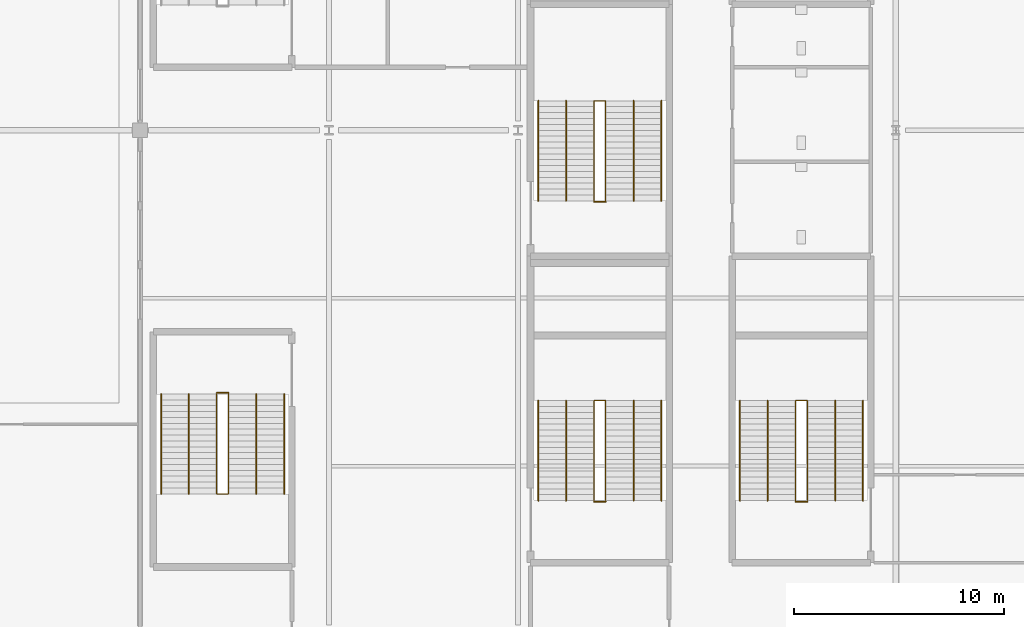
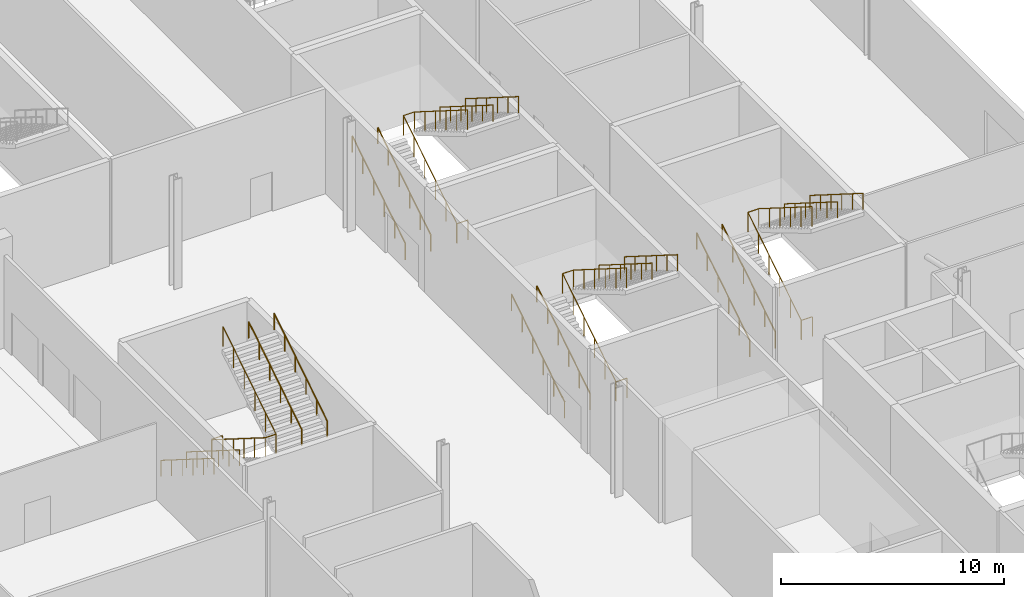
# One storey, part 78 of 84: 24 railings.
"""IFC4 building model written with IfcOpenShell, lengths in metres."""

from ifc_helpers import new_model, si_unit, direction, frame, origin, origin_2d, place, context, subcontext, project, spatial, circle, extrude, material, type_object, element, save


model = new_model("IFC4")

# Units and contexts
model_context = context("Model", 3, precision=1e-05, world=origin(), true_north=direction((0.0, 1.0)))
body_context = subcontext(model_context, "Body", "Model", "MODEL_VIEW")
ifc_project = project(units=[si_unit("LENGTHUNIT", "METRE"), si_unit("AREAUNIT", "SQUARE_METRE"), si_unit("VOLUMEUNIT", "CUBIC_METRE"), si_unit("PLANEANGLEUNIT", "RADIAN"), si_unit("MASSUNIT", "GRAM", prefix="KILO")], contexts=[model_context])

# Site, building, storey
site_placement = place(None, origin())
site = spatial("IfcSite", under=ifc_project, at=site_placement, CompositionType="ELEMENT")
building_placement = place(site_placement, origin())
building = spatial("IfcBuilding", under=site, at=building_placement, Name="Kisiwana Market Hall", CompositionType="ELEMENT")
storey_placement = place(building_placement, origin())
storey = spatial("IfcBuildingStorey", under=building, at=storey_placement, Name="L00", CompositionType="ELEMENT", Elevation=0.0)

# Railings
ifc_material_1 = material(Name="Steel S275", Category="steel")
railing_type_1 = type_object("IfcRailingType", Name="RL-GUARD-1100", PredefinedType="GUARDRAIL", material=ifc_material_1)
railing_1_placement = place(storey_placement, frame((184.219970703125, 42.360107421875, 0.0)))
element("IfcRailing", 1, at=railing_1_placement, inside=storey, type_object=railing_type_1, Name="Stair ST-E3-L00 inner-well guardrail (RL-191)", PredefinedType="GUARDRAIL", context=body_context, shape_type="SweptSolid", body=[
    extrude(circle(Radius=0.02392578125, at=origin_2d()), frame((0.0, 0.0, 1.076171875), z_axis=(0.0, 0.845995810448, 0.533189542944), x_axis=(-1.0, 0.0, 0.0)), (0.0, 0.0, 1.0), 5.62646484375),
    extrude(circle(Radius=0.02392578125, at=origin_2d()), frame((0.0, 4.760009765625, 4.076171875), z_axis=(1.0, 0.0, 0.0), x_axis=(0.0, 1.0, 0.0)), (0.0, 0.0, 1.0), 0.56005859375),
    extrude(circle(Radius=0.02392578125, at=origin_2d()), frame((0.56005859375, 4.760009765625, 4.076171875), z_axis=(0.0, -0.845995810448, 0.533189542944), x_axis=(1.0, 0.0, 0.0)), (0.0, 0.0, 1.0), 5.62646484375),
    extrude(circle(Radius=0.02099609375, at=origin_2d()), origin(), (0.0, 0.0, 1.0), 1.052001953125),
    extrude(circle(Radius=0.02099609375, at=origin_2d()), frame((0.0, 0.951904296875, 0.60009765625)), (0.0, 0.0, 1.0), 1.052001953125),
    extrude(circle(Radius=0.02099609375, at=origin_2d()), frame((0.0, 1.904052734375, 1.199951171875)), (0.0, 0.0, 1.0), 1.052001953125),
    extrude(circle(Radius=0.02099609375, at=origin_2d()), frame((0.0, 2.85595703125, 1.800048828125)), (0.0, 0.0, 1.0), 1.052001953125),
    extrude(circle(Radius=0.02099609375, at=origin_2d()), frame((0.0, 3.80810546875, 2.39990234375)), (0.0, 0.0, 1.0), 1.052001953125),
    extrude(circle(Radius=0.02099609375, at=origin_2d()), frame((0.0, 4.760009765625, 3.0)), (0.0, 0.0, 1.0), 1.052001953125),
    extrude(circle(Radius=0.02099609375, at=origin_2d()), frame((0.56005859375, 4.760009765625, 3.0)), (0.0, 0.0, 1.0), 1.052001953125),
    extrude(circle(Radius=0.02099609375, at=origin_2d()), frame((0.56005859375, 3.80810546875, 3.60009765625)), (0.0, 0.0, 1.0), 1.052001953125),
    extrude(circle(Radius=0.02099609375, at=origin_2d()), frame((0.56005859375, 2.85595703125, 4.199951171875)), (0.0, 0.0, 1.0), 1.052001953125),
    extrude(circle(Radius=0.02099609375, at=origin_2d()), frame((0.56005859375, 1.904052734375, 4.800048828125)), (0.0, 0.0, 1.0), 1.052001953125),
    extrude(circle(Radius=0.02099609375, at=origin_2d()), frame((0.56005859375, 0.951904296875, 5.39990234375)), (0.0, 0.0, 1.0), 1.052001953125),
    extrude(circle(Radius=0.02099609375, at=origin_2d()), frame((0.56005859375, 0.0, 6.0)), (0.0, 0.0, 1.0), 1.052001953125),
])
railing_2_placement = place(storey_placement, frame((184.219970703125, 42.31005859375, 0.0)))
element("IfcRailing", 2, at=railing_2_placement, inside=storey, type_object=railing_type_1, Name="Stair ST-E3-L00 landing edge guardrail (RL-196)", PredefinedType="GUARDRAIL", context=body_context, shape_type="SweptSolid", body=[
    extrude(circle(Radius=0.02392578125, at=origin_2d()), frame((0.0, 0.0, 1.076171875), z_axis=(1.0, 0.0, 0.0), x_axis=(0.0, 1.0, 0.0)), (0.0, 0.0, 1.0), 0.56005859375),
    extrude(circle(Radius=0.02099609375, at=origin_2d()), origin(), (0.0, 0.0, 1.0), 1.052001953125),
    extrude(circle(Radius=0.02099609375, at=origin_2d()), frame((0.56005859375, 0.0, 0.0)), (0.0, 0.0, 1.0), 1.052001953125),
])
railing_3_placement = place(storey_placement, frame((174.6201171875, 42.360107421875, 0.0)))
element("IfcRailing", 3, at=railing_3_placement, inside=storey, type_object=railing_type_1, Name="Stair ST-E7-L00 inner-well guardrail (RL-209)", PredefinedType="GUARDRAIL", context=body_context, shape_type="SweptSolid", body=[
    extrude(circle(Radius=0.02392578125, at=origin_2d()), frame((0.0, 0.0, 1.076171875), z_axis=(0.0, 0.845995810448, 0.533189542944), x_axis=(-1.0, 0.0, 0.0)), (0.0, 0.0, 1.0), 5.62646484375),
    extrude(circle(Radius=0.02392578125, at=origin_2d()), frame((0.0, 4.760009765625, 4.076171875), z_axis=(1.0, 0.0, 0.0), x_axis=(0.0, 1.0, 0.0)), (0.0, 0.0, 1.0), 0.559814453125),
    extrude(circle(Radius=0.02392578125, at=origin_2d()), frame((0.559814453125, 4.760009765625, 4.076171875), z_axis=(0.0, -0.845995810448, 0.533189542944), x_axis=(1.0, 0.0, 0.0)), (0.0, 0.0, 1.0), 5.62646484375),
    extrude(circle(Radius=0.02099609375, at=origin_2d()), origin(), (0.0, 0.0, 1.0), 1.052001953125),
    extrude(circle(Radius=0.02099609375, at=origin_2d()), frame((0.0, 0.951904296875, 0.60009765625)), (0.0, 0.0, 1.0), 1.052001953125),
    extrude(circle(Radius=0.02099609375, at=origin_2d()), frame((0.0, 1.904052734375, 1.199951171875)), (0.0, 0.0, 1.0), 1.052001953125),
    extrude(circle(Radius=0.02099609375, at=origin_2d()), frame((0.0, 2.85595703125, 1.800048828125)), (0.0, 0.0, 1.0), 1.052001953125),
    extrude(circle(Radius=0.02099609375, at=origin_2d()), frame((0.0, 3.80810546875, 2.39990234375)), (0.0, 0.0, 1.0), 1.052001953125),
    extrude(circle(Radius=0.02099609375, at=origin_2d()), frame((0.0, 4.760009765625, 3.0)), (0.0, 0.0, 1.0), 1.052001953125),
    extrude(circle(Radius=0.02099609375, at=origin_2d()), frame((0.559814453125, 4.760009765625, 3.0)), (0.0, 0.0, 1.0), 1.052001953125),
    extrude(circle(Radius=0.02099609375, at=origin_2d()), frame((0.559814453125, 3.80810546875, 3.60009765625)), (0.0, 0.0, 1.0), 1.052001953125),
    extrude(circle(Radius=0.02099609375, at=origin_2d()), frame((0.559814453125, 2.85595703125, 4.199951171875)), (0.0, 0.0, 1.0), 1.052001953125),
    extrude(circle(Radius=0.02099609375, at=origin_2d()), frame((0.559814453125, 1.904052734375, 4.800048828125)), (0.0, 0.0, 1.0), 1.052001953125),
    extrude(circle(Radius=0.02099609375, at=origin_2d()), frame((0.559814453125, 0.951904296875, 5.39990234375)), (0.0, 0.0, 1.0), 1.052001953125),
    extrude(circle(Radius=0.02099609375, at=origin_2d()), frame((0.559814453125, 0.0, 6.0)), (0.0, 0.0, 1.0), 1.052001953125),
])
railing_4_placement = place(storey_placement, frame((174.6201171875, 42.31005859375, 0.0)))
element("IfcRailing", 4, at=railing_4_placement, inside=storey, type_object=railing_type_1, Name="Stair ST-E7-L00 landing edge guardrail (RL-214)", PredefinedType="GUARDRAIL", context=body_context, shape_type="SweptSolid", body=[
    extrude(circle(Radius=0.02392578125, at=origin_2d()), frame((0.0, 0.0, 1.076171875), z_axis=(1.0, 0.0, 0.0), x_axis=(0.0, 1.0, 0.0)), (0.0, 0.0, 1.0), 0.559814453125),
    extrude(circle(Radius=0.02099609375, at=origin_2d()), origin(), (0.0, 0.0, 1.0), 1.052001953125),
    extrude(circle(Radius=0.02099609375, at=origin_2d()), frame((0.559814453125, 0.0, 0.0)), (0.0, 0.0, 1.0), 1.052001953125),
])
railing_5_placement = place(storey_placement, frame((156.64990234375, 47.43994140625, 0.0)))
element("IfcRailing", 5, at=railing_5_placement, inside=storey, type_object=railing_type_1, Name="Stair ST-E9-L00 inner-well guardrail (RL-233)", PredefinedType="GUARDRAIL", context=body_context, shape_type="SweptSolid", body=[
    extrude(circle(Radius=0.02392578125, at=origin_2d()), frame((0.0, 0.0, 1.076171875), z_axis=(0.0, -0.845995810448, 0.533189542944), x_axis=(1.0, 0.0, 0.0)), (0.0, 0.0, 1.0), 5.62646484375),
    extrude(circle(Radius=0.02392578125, at=origin_2d()), frame((0.0, -4.760009765625, 4.076171875), z_axis=(1.0, 0.0, 0.0), x_axis=(0.0, 1.0, 0.0)), (0.0, 0.0, 1.0), 0.56005859375),
    extrude(circle(Radius=0.02392578125, at=origin_2d()), frame((0.56005859375, -4.760009765625, 4.076171875), z_axis=(0.0, 0.845995810448, 0.533189542944), x_axis=(-1.0, 0.0, 0.0)), (0.0, 0.0, 1.0), 5.62646484375),
    extrude(circle(Radius=0.02099609375, at=origin_2d()), origin(), (0.0, 0.0, 1.0), 1.052001953125),
    extrude(circle(Radius=0.02099609375, at=origin_2d()), frame((0.0, -0.951904296875, 0.60009765625)), (0.0, 0.0, 1.0), 1.052001953125),
    extrude(circle(Radius=0.02099609375, at=origin_2d()), frame((0.0, -1.904052734375, 1.199951171875)), (0.0, 0.0, 1.0), 1.052001953125),
    extrude(circle(Radius=0.02099609375, at=origin_2d()), frame((0.0, -2.85595703125, 1.800048828125)), (0.0, 0.0, 1.0), 1.052001953125),
    extrude(circle(Radius=0.02099609375, at=origin_2d()), frame((0.0, -3.80810546875, 2.39990234375)), (0.0, 0.0, 1.0), 1.052001953125),
    extrude(circle(Radius=0.02099609375, at=origin_2d()), frame((0.0, -4.760009765625, 3.0)), (0.0, 0.0, 1.0), 1.052001953125),
    extrude(circle(Radius=0.02099609375, at=origin_2d()), frame((0.56005859375, -4.760009765625, 3.0)), (0.0, 0.0, 1.0), 1.052001953125),
    extrude(circle(Radius=0.02099609375, at=origin_2d()), frame((0.56005859375, -3.80810546875, 3.60009765625)), (0.0, 0.0, 1.0), 1.052001953125),
    extrude(circle(Radius=0.02099609375, at=origin_2d()), frame((0.56005859375, -2.85595703125, 4.199951171875)), (0.0, 0.0, 1.0), 1.052001953125),
    extrude(circle(Radius=0.02099609375, at=origin_2d()), frame((0.56005859375, -1.904052734375, 4.800048828125)), (0.0, 0.0, 1.0), 1.052001953125),
    extrude(circle(Radius=0.02099609375, at=origin_2d()), frame((0.56005859375, -0.951904296875, 5.39990234375)), (0.0, 0.0, 1.0), 1.052001953125),
    extrude(circle(Radius=0.02099609375, at=origin_2d()), frame((0.56005859375, 0.0, 6.0)), (0.0, 0.0, 1.0), 1.052001953125),
])
railing_6_placement = place(storey_placement, frame((156.64990234375, 47.489990234375, 0.0)))
element("IfcRailing", 6, at=railing_6_placement, inside=storey, type_object=railing_type_1, Name="Stair ST-E9-L00 landing edge guardrail (RL-238)", PredefinedType="GUARDRAIL", context=body_context, shape_type="SweptSolid", body=[
    extrude(circle(Radius=0.02392578125, at=origin_2d()), frame((0.0, 0.0, 1.076171875), z_axis=(1.0, 0.0, 0.0), x_axis=(0.0, 1.0, 0.0)), (0.0, 0.0, 1.0), 0.56005859375),
    extrude(circle(Radius=0.02099609375, at=origin_2d()), origin(), (0.0, 0.0, 1.0), 1.052001953125),
    extrude(circle(Radius=0.02099609375, at=origin_2d()), frame((0.56005859375, 0.0, 0.0)), (0.0, 0.0, 1.0), 1.052001953125),
])
railing_7_placement = place(storey_placement, frame((174.6201171875, 56.639892578125, 0.0)))
element("IfcRailing", 7, at=railing_7_placement, inside=storey, type_object=railing_type_1, Name="Stair ST-E5-L00 inner-well guardrail (RL-257)", PredefinedType="GUARDRAIL", context=body_context, shape_type="SweptSolid", body=[
    extrude(circle(Radius=0.02392578125, at=origin_2d()), frame((0.0, 0.0, 1.076171875), z_axis=(0.0, 0.845995810448, 0.533189542944), x_axis=(-1.0, 0.0, 0.0)), (0.0, 0.0, 1.0), 5.62646484375),
    extrude(circle(Radius=0.02392578125, at=origin_2d()), frame((0.0, 4.760009765625, 4.076171875), z_axis=(1.0, 0.0, 0.0), x_axis=(0.0, 1.0, 0.0)), (0.0, 0.0, 1.0), 0.559814453125),
    extrude(circle(Radius=0.02392578125, at=origin_2d()), frame((0.559814453125, 4.760009765625, 4.076171875), z_axis=(0.0, -0.845995810448, 0.533189542944), x_axis=(1.0, 0.0, 0.0)), (0.0, 0.0, 1.0), 5.62646484375),
    extrude(circle(Radius=0.02099609375, at=origin_2d()), origin(), (0.0, 0.0, 1.0), 1.052001953125),
    extrude(circle(Radius=0.02099609375, at=origin_2d()), frame((0.0, 0.951904296875, 0.60009765625)), (0.0, 0.0, 1.0), 1.052001953125),
    extrude(circle(Radius=0.02099609375, at=origin_2d()), frame((0.0, 1.904052734375, 1.199951171875)), (0.0, 0.0, 1.0), 1.052001953125),
    extrude(circle(Radius=0.02099609375, at=origin_2d()), frame((0.0, 2.85595703125, 1.800048828125)), (0.0, 0.0, 1.0), 1.052001953125),
    extrude(circle(Radius=0.02099609375, at=origin_2d()), frame((0.0, 3.80810546875, 2.39990234375)), (0.0, 0.0, 1.0), 1.052001953125),
    extrude(circle(Radius=0.02099609375, at=origin_2d()), frame((0.0, 4.760009765625, 3.0)), (0.0, 0.0, 1.0), 1.052001953125),
    extrude(circle(Radius=0.02099609375, at=origin_2d()), frame((0.559814453125, 4.760009765625, 3.0)), (0.0, 0.0, 1.0), 1.052001953125),
    extrude(circle(Radius=0.02099609375, at=origin_2d()), frame((0.559814453125, 3.80810546875, 3.60009765625)), (0.0, 0.0, 1.0), 1.052001953125),
    extrude(circle(Radius=0.02099609375, at=origin_2d()), frame((0.559814453125, 2.85595703125, 4.199951171875)), (0.0, 0.0, 1.0), 1.052001953125),
    extrude(circle(Radius=0.02099609375, at=origin_2d()), frame((0.559814453125, 1.904052734375, 4.800048828125)), (0.0, 0.0, 1.0), 1.052001953125),
    extrude(circle(Radius=0.02099609375, at=origin_2d()), frame((0.559814453125, 0.951904296875, 5.39990234375)), (0.0, 0.0, 1.0), 1.052001953125),
    extrude(circle(Radius=0.02099609375, at=origin_2d()), frame((0.559814453125, 0.0, 6.0)), (0.0, 0.0, 1.0), 1.052001953125),
])
railing_8_placement = place(storey_placement, frame((174.6201171875, 56.590087890625, 0.0)))
element("IfcRailing", 8, at=railing_8_placement, inside=storey, type_object=railing_type_1, Name="Stair ST-E5-L00 landing edge guardrail (RL-262)", PredefinedType="GUARDRAIL", context=body_context, shape_type="SweptSolid", body=[
    extrude(circle(Radius=0.02392578125, at=origin_2d()), frame((0.0, 0.0, 1.076171875), z_axis=(1.0, 0.0, 0.0), x_axis=(0.0, 1.0, 0.0)), (0.0, 0.0, 1.0), 0.559814453125),
    extrude(circle(Radius=0.02099609375, at=origin_2d()), origin(), (0.0, 0.0, 1.0), 1.052001953125),
    extrude(circle(Radius=0.02099609375, at=origin_2d()), frame((0.559814453125, 0.0, 0.0)), (0.0, 0.0, 1.0), 1.052001953125),
])
ifc_material_2 = material(Name="Steel S275", Category="steel")
railing_type_2 = type_object("IfcRailingType", Name="RL-HAND-900", PredefinedType="HANDRAIL", material=ifc_material_2)
railing_9_placement = place(storey_placement, frame((181.570068359375, 42.360107421875, 0.0)))
element("IfcRailing", 9, at=railing_9_placement, inside=storey, type_object=railing_type_2, Name="Stair ST-E3-L00 flight 1 handrail (RL-192)", PredefinedType="HANDRAIL", context=body_context, shape_type="SweptSolid", body=[
    extrude(circle(Radius=0.02392578125, at=origin_2d()), frame((0.0, 0.0, 0.8759765625), z_axis=(0.0, 0.845995810448, 0.533189542944), x_axis=(-1.0, 0.0, 0.0)), (0.0, 0.0, 1.0), 5.62646484375),
    extrude(circle(Radius=0.02099609375, at=origin_2d()), origin(), (0.0, 0.0, 1.0), 0.851806640625),
    extrude(circle(Radius=0.02099609375, at=origin_2d()), frame((0.0, 0.951904296875, 0.60009765625)), (0.0, 0.0, 1.0), 0.851806640625),
    extrude(circle(Radius=0.02099609375, at=origin_2d()), frame((0.0, 1.904052734375, 1.199951171875)), (0.0, 0.0, 1.0), 0.851806640625),
    extrude(circle(Radius=0.02099609375, at=origin_2d()), frame((0.0, 2.85595703125, 1.800048828125)), (0.0, 0.0, 1.0), 0.851806640625),
    extrude(circle(Radius=0.02099609375, at=origin_2d()), frame((0.0, 3.80810546875, 2.39990234375)), (0.0, 0.0, 1.0), 0.851806640625),
    extrude(circle(Radius=0.02099609375, at=origin_2d()), frame((0.0, 4.760009765625, 3.0)), (0.0, 0.0, 1.0), 0.851806640625),
])
railing_10_placement = place(storey_placement, frame((187.429931640625, 47.1201171875, 3.0)))
element("IfcRailing", 10, at=railing_10_placement, inside=storey, type_object=railing_type_2, Name="Stair ST-E3-L00 flight 2 handrail (RL-193)", PredefinedType="HANDRAIL", context=body_context, shape_type="SweptSolid", body=[
    extrude(circle(Radius=0.02392578125, at=origin_2d()), frame((0.0, 0.0, 0.8759765625), z_axis=(0.0, -0.845995810448, 0.533189542944), x_axis=(1.0, 0.0, 0.0)), (0.0, 0.0, 1.0), 5.62646484375),
    extrude(circle(Radius=0.02099609375, at=origin_2d()), origin(), (0.0, 0.0, 1.0), 0.851806640625),
    extrude(circle(Radius=0.02099609375, at=origin_2d()), frame((0.0, -0.951904296875, 0.60009765625)), (0.0, 0.0, 1.0), 0.851806640625),
    extrude(circle(Radius=0.02099609375, at=origin_2d()), frame((0.0, -1.904052734375, 1.199951171875)), (0.0, 0.0, 1.0), 0.851806640625),
    extrude(circle(Radius=0.02099609375, at=origin_2d()), frame((0.0, -2.85595703125, 1.800048828125)), (0.0, 0.0, 1.0), 0.851806640625),
    extrude(circle(Radius=0.02099609375, at=origin_2d()), frame((0.0, -3.80810546875, 2.39990234375)), (0.0, 0.0, 1.0), 0.851806640625),
    extrude(circle(Radius=0.02099609375, at=origin_2d()), frame((0.0, -4.760009765625, 3.0)), (0.0, 0.0, 1.0), 0.851806640625),
])
railing_11_placement = place(storey_placement, frame((182.889892578125, 42.360107421875, 0.0)))
element("IfcRailing", 11, at=railing_11_placement, inside=storey, type_object=railing_type_2, Name="Stair ST-E3-L00 flight 1 intermediate handrail (RL-194)", PredefinedType="HANDRAIL", context=body_context, shape_type="SweptSolid", body=[
    extrude(circle(Radius=0.02392578125, at=origin_2d()), frame((0.0, 0.0, 0.8759765625), z_axis=(0.0, 0.845995810448, 0.533189542944), x_axis=(-1.0, 0.0, 0.0)), (0.0, 0.0, 1.0), 5.62646484375),
    extrude(circle(Radius=0.02099609375, at=origin_2d()), origin(), (0.0, 0.0, 1.0), 0.851806640625),
    extrude(circle(Radius=0.02099609375, at=origin_2d()), frame((0.0, 0.951904296875, 0.60009765625)), (0.0, 0.0, 1.0), 0.851806640625),
    extrude(circle(Radius=0.02099609375, at=origin_2d()), frame((0.0, 1.904052734375, 1.199951171875)), (0.0, 0.0, 1.0), 0.851806640625),
    extrude(circle(Radius=0.02099609375, at=origin_2d()), frame((0.0, 2.85595703125, 1.800048828125)), (0.0, 0.0, 1.0), 0.851806640625),
    extrude(circle(Radius=0.02099609375, at=origin_2d()), frame((0.0, 3.80810546875, 2.39990234375)), (0.0, 0.0, 1.0), 0.851806640625),
    extrude(circle(Radius=0.02099609375, at=origin_2d()), frame((0.0, 4.760009765625, 3.0)), (0.0, 0.0, 1.0), 0.851806640625),
])
railing_12_placement = place(storey_placement, frame((186.110107421875, 47.1201171875, 3.0)))
element("IfcRailing", 12, at=railing_12_placement, inside=storey, type_object=railing_type_2, Name="Stair ST-E3-L00 flight 2 intermediate handrail (RL-195)", PredefinedType="HANDRAIL", context=body_context, shape_type="SweptSolid", body=[
    extrude(circle(Radius=0.02392578125, at=origin_2d()), frame((0.0, 0.0, 0.8759765625), z_axis=(0.0, -0.845995810448, 0.533189542944), x_axis=(1.0, 0.0, 0.0)), (0.0, 0.0, 1.0), 5.62646484375),
    extrude(circle(Radius=0.02099609375, at=origin_2d()), origin(), (0.0, 0.0, 1.0), 0.851806640625),
    extrude(circle(Radius=0.02099609375, at=origin_2d()), frame((0.0, -0.951904296875, 0.60009765625)), (0.0, 0.0, 1.0), 0.851806640625),
    extrude(circle(Radius=0.02099609375, at=origin_2d()), frame((0.0, -1.904052734375, 1.199951171875)), (0.0, 0.0, 1.0), 0.851806640625),
    extrude(circle(Radius=0.02099609375, at=origin_2d()), frame((0.0, -2.85595703125, 1.800048828125)), (0.0, 0.0, 1.0), 0.851806640625),
    extrude(circle(Radius=0.02099609375, at=origin_2d()), frame((0.0, -3.80810546875, 2.39990234375)), (0.0, 0.0, 1.0), 0.851806640625),
    extrude(circle(Radius=0.02099609375, at=origin_2d()), frame((0.0, -4.760009765625, 3.0)), (0.0, 0.0, 1.0), 0.851806640625),
])
railing_13_placement = place(storey_placement, frame((171.969970703125, 42.360107421875, 0.0)))
element("IfcRailing", 13, at=railing_13_placement, inside=storey, type_object=railing_type_2, Name="Stair ST-E7-L00 flight 1 handrail (RL-210)", PredefinedType="HANDRAIL", context=body_context, shape_type="SweptSolid", body=[
    extrude(circle(Radius=0.02392578125, at=origin_2d()), frame((0.0, 0.0, 0.8759765625), z_axis=(0.0, 0.845995810448, 0.533189542944), x_axis=(-1.0, 0.0, 0.0)), (0.0, 0.0, 1.0), 5.62646484375),
    extrude(circle(Radius=0.02099609375, at=origin_2d()), origin(), (0.0, 0.0, 1.0), 0.851806640625),
    extrude(circle(Radius=0.02099609375, at=origin_2d()), frame((0.0, 0.951904296875, 0.60009765625)), (0.0, 0.0, 1.0), 0.851806640625),
    extrude(circle(Radius=0.02099609375, at=origin_2d()), frame((0.0, 1.904052734375, 1.199951171875)), (0.0, 0.0, 1.0), 0.851806640625),
    extrude(circle(Radius=0.02099609375, at=origin_2d()), frame((0.0, 2.85595703125, 1.800048828125)), (0.0, 0.0, 1.0), 0.851806640625),
    extrude(circle(Radius=0.02099609375, at=origin_2d()), frame((0.0, 3.80810546875, 2.39990234375)), (0.0, 0.0, 1.0), 0.851806640625),
    extrude(circle(Radius=0.02099609375, at=origin_2d()), frame((0.0, 4.760009765625, 3.0)), (0.0, 0.0, 1.0), 0.851806640625),
])
railing_14_placement = place(storey_placement, frame((177.830078125, 47.1201171875, 3.0)))
element("IfcRailing", 14, at=railing_14_placement, inside=storey, type_object=railing_type_2, Name="Stair ST-E7-L00 flight 2 handrail (RL-211)", PredefinedType="HANDRAIL", context=body_context, shape_type="SweptSolid", body=[
    extrude(circle(Radius=0.02392578125, at=origin_2d()), frame((0.0, 0.0, 0.8759765625), z_axis=(0.0, -0.845995810448, 0.533189542944), x_axis=(1.0, 0.0, 0.0)), (0.0, 0.0, 1.0), 5.62646484375),
    extrude(circle(Radius=0.02099609375, at=origin_2d()), origin(), (0.0, 0.0, 1.0), 0.851806640625),
    extrude(circle(Radius=0.02099609375, at=origin_2d()), frame((0.0, -0.951904296875, 0.60009765625)), (0.0, 0.0, 1.0), 0.851806640625),
    extrude(circle(Radius=0.02099609375, at=origin_2d()), frame((0.0, -1.904052734375, 1.199951171875)), (0.0, 0.0, 1.0), 0.851806640625),
    extrude(circle(Radius=0.02099609375, at=origin_2d()), frame((0.0, -2.85595703125, 1.800048828125)), (0.0, 0.0, 1.0), 0.851806640625),
    extrude(circle(Radius=0.02099609375, at=origin_2d()), frame((0.0, -3.80810546875, 2.39990234375)), (0.0, 0.0, 1.0), 0.851806640625),
    extrude(circle(Radius=0.02099609375, at=origin_2d()), frame((0.0, -4.760009765625, 3.0)), (0.0, 0.0, 1.0), 0.851806640625),
])
railing_15_placement = place(storey_placement, frame((173.2900390625, 42.360107421875, 0.0)))
element("IfcRailing", 15, at=railing_15_placement, inside=storey, type_object=railing_type_2, Name="Stair ST-E7-L00 flight 1 intermediate handrail (RL-212)", PredefinedType="HANDRAIL", context=body_context, shape_type="SweptSolid", body=[
    extrude(circle(Radius=0.02392578125, at=origin_2d()), frame((0.0, 0.0, 0.8759765625), z_axis=(0.0, 0.845995810448, 0.533189542944), x_axis=(-1.0, 0.0, 0.0)), (0.0, 0.0, 1.0), 5.62646484375),
    extrude(circle(Radius=0.02099609375, at=origin_2d()), origin(), (0.0, 0.0, 1.0), 0.851806640625),
    extrude(circle(Radius=0.02099609375, at=origin_2d()), frame((0.0, 0.951904296875, 0.60009765625)), (0.0, 0.0, 1.0), 0.851806640625),
    extrude(circle(Radius=0.02099609375, at=origin_2d()), frame((0.0, 1.904052734375, 1.199951171875)), (0.0, 0.0, 1.0), 0.851806640625),
    extrude(circle(Radius=0.02099609375, at=origin_2d()), frame((0.0, 2.85595703125, 1.800048828125)), (0.0, 0.0, 1.0), 0.851806640625),
    extrude(circle(Radius=0.02099609375, at=origin_2d()), frame((0.0, 3.80810546875, 2.39990234375)), (0.0, 0.0, 1.0), 0.851806640625),
    extrude(circle(Radius=0.02099609375, at=origin_2d()), frame((0.0, 4.760009765625, 3.0)), (0.0, 0.0, 1.0), 0.851806640625),
])
for number, where, name in (
    (16, (176.510009765625, 47.1201171875, 3.0), "Stair ST-E7-L00 flight 2 intermediate handrail (RL-213)"),
    (17, (154.0, 47.43994140625, 0.0), "Stair ST-E9-L00 flight 1 handrail (RL-234)"),
):
    element("IfcRailing", number, at=place(storey_placement, frame(where)), inside=storey, type_object=railing_type_2, Name=name, PredefinedType="HANDRAIL", context=body_context, shape_type="SweptSolid", body=[
        extrude(circle(Radius=0.02392578125, at=origin_2d()), frame((0.0, 0.0, 0.8759765625), z_axis=(0.0, -0.845995810448, 0.533189542944), x_axis=(1.0, 0.0, 0.0)), (0.0, 0.0, 1.0), 5.62646484375),
        extrude(circle(Radius=0.02099609375, at=origin_2d()), origin(), (0.0, 0.0, 1.0), 0.851806640625),
        extrude(circle(Radius=0.02099609375, at=origin_2d()), frame((0.0, -0.951904296875, 0.60009765625)), (0.0, 0.0, 1.0), 0.851806640625),
        extrude(circle(Radius=0.02099609375, at=origin_2d()), frame((0.0, -1.904052734375, 1.199951171875)), (0.0, 0.0, 1.0), 0.851806640625),
        extrude(circle(Radius=0.02099609375, at=origin_2d()), frame((0.0, -2.85595703125, 1.800048828125)), (0.0, 0.0, 1.0), 0.851806640625),
        extrude(circle(Radius=0.02099609375, at=origin_2d()), frame((0.0, -3.80810546875, 2.39990234375)), (0.0, 0.0, 1.0), 0.851806640625),
        extrude(circle(Radius=0.02099609375, at=origin_2d()), frame((0.0, -4.760009765625, 3.0)), (0.0, 0.0, 1.0), 0.851806640625),
    ])
railing_16_placement = place(storey_placement, frame((159.860107421875, 42.679931640625, 3.0)))
element("IfcRailing", 18, at=railing_16_placement, inside=storey, type_object=railing_type_2, Name="Stair ST-E9-L00 flight 2 handrail (RL-235)", PredefinedType="HANDRAIL", context=body_context, shape_type="SweptSolid", body=[
    extrude(circle(Radius=0.02392578125, at=origin_2d()), frame((0.0, 0.0, 0.8759765625), z_axis=(0.0, 0.845995810448, 0.533189542944), x_axis=(-1.0, 0.0, 0.0)), (0.0, 0.0, 1.0), 5.62646484375),
    extrude(circle(Radius=0.02099609375, at=origin_2d()), origin(), (0.0, 0.0, 1.0), 0.851806640625),
    extrude(circle(Radius=0.02099609375, at=origin_2d()), frame((0.0, 0.951904296875, 0.60009765625)), (0.0, 0.0, 1.0), 0.851806640625),
    extrude(circle(Radius=0.02099609375, at=origin_2d()), frame((0.0, 1.904052734375, 1.199951171875)), (0.0, 0.0, 1.0), 0.851806640625),
    extrude(circle(Radius=0.02099609375, at=origin_2d()), frame((0.0, 2.85595703125, 1.800048828125)), (0.0, 0.0, 1.0), 0.851806640625),
    extrude(circle(Radius=0.02099609375, at=origin_2d()), frame((0.0, 3.80810546875, 2.39990234375)), (0.0, 0.0, 1.0), 0.851806640625),
    extrude(circle(Radius=0.02099609375, at=origin_2d()), frame((0.0, 4.760009765625, 3.0)), (0.0, 0.0, 1.0), 0.851806640625),
])
railing_17_placement = place(storey_placement, frame((155.320068359375, 47.43994140625, 0.0)))
element("IfcRailing", 19, at=railing_17_placement, inside=storey, type_object=railing_type_2, Name="Stair ST-E9-L00 flight 1 intermediate handrail (RL-236)", PredefinedType="HANDRAIL", context=body_context, shape_type="SweptSolid", body=[
    extrude(circle(Radius=0.02392578125, at=origin_2d()), frame((0.0, 0.0, 0.8759765625), z_axis=(0.0, -0.845995810448, 0.533189542944), x_axis=(1.0, 0.0, 0.0)), (0.0, 0.0, 1.0), 5.62646484375),
    extrude(circle(Radius=0.02099609375, at=origin_2d()), origin(), (0.0, 0.0, 1.0), 0.851806640625),
    extrude(circle(Radius=0.02099609375, at=origin_2d()), frame((0.0, -0.951904296875, 0.60009765625)), (0.0, 0.0, 1.0), 0.851806640625),
    extrude(circle(Radius=0.02099609375, at=origin_2d()), frame((0.0, -1.904052734375, 1.199951171875)), (0.0, 0.0, 1.0), 0.851806640625),
    extrude(circle(Radius=0.02099609375, at=origin_2d()), frame((0.0, -2.85595703125, 1.800048828125)), (0.0, 0.0, 1.0), 0.851806640625),
    extrude(circle(Radius=0.02099609375, at=origin_2d()), frame((0.0, -3.80810546875, 2.39990234375)), (0.0, 0.0, 1.0), 0.851806640625),
    extrude(circle(Radius=0.02099609375, at=origin_2d()), frame((0.0, -4.760009765625, 3.0)), (0.0, 0.0, 1.0), 0.851806640625),
])
for number, where, name in (
    (20, (158.5400390625, 42.679931640625, 3.0), "Stair ST-E9-L00 flight 2 intermediate handrail (RL-237)"),
    (21, (171.969970703125, 56.639892578125, 0.0), "Stair ST-E5-L00 flight 1 handrail (RL-258)"),
):
    element("IfcRailing", number, at=place(storey_placement, frame(where)), inside=storey, type_object=railing_type_2, Name=name, PredefinedType="HANDRAIL", context=body_context, shape_type="SweptSolid", body=[
        extrude(circle(Radius=0.02392578125, at=origin_2d()), frame((0.0, 0.0, 0.8759765625), z_axis=(0.0, 0.845995810448, 0.533189542944), x_axis=(-1.0, 0.0, 0.0)), (0.0, 0.0, 1.0), 5.62646484375),
        extrude(circle(Radius=0.02099609375, at=origin_2d()), origin(), (0.0, 0.0, 1.0), 0.851806640625),
        extrude(circle(Radius=0.02099609375, at=origin_2d()), frame((0.0, 0.951904296875, 0.60009765625)), (0.0, 0.0, 1.0), 0.851806640625),
        extrude(circle(Radius=0.02099609375, at=origin_2d()), frame((0.0, 1.904052734375, 1.199951171875)), (0.0, 0.0, 1.0), 0.851806640625),
        extrude(circle(Radius=0.02099609375, at=origin_2d()), frame((0.0, 2.85595703125, 1.800048828125)), (0.0, 0.0, 1.0), 0.851806640625),
        extrude(circle(Radius=0.02099609375, at=origin_2d()), frame((0.0, 3.80810546875, 2.39990234375)), (0.0, 0.0, 1.0), 0.851806640625),
        extrude(circle(Radius=0.02099609375, at=origin_2d()), frame((0.0, 4.760009765625, 3.0)), (0.0, 0.0, 1.0), 0.851806640625),
    ])
railing_18_placement = place(storey_placement, frame((177.830078125, 61.39990234375, 3.0)))
element("IfcRailing", 22, at=railing_18_placement, inside=storey, type_object=railing_type_2, Name="Stair ST-E5-L00 flight 2 handrail (RL-259)", PredefinedType="HANDRAIL", context=body_context, shape_type="SweptSolid", body=[
    extrude(circle(Radius=0.02392578125, at=origin_2d()), frame((0.0, 0.0, 0.8759765625), z_axis=(0.0, -0.845995810448, 0.533189542944), x_axis=(1.0, 0.0, 0.0)), (0.0, 0.0, 1.0), 5.62646484375),
    extrude(circle(Radius=0.02099609375, at=origin_2d()), origin(), (0.0, 0.0, 1.0), 0.851806640625),
    extrude(circle(Radius=0.02099609375, at=origin_2d()), frame((0.0, -0.951904296875, 0.60009765625)), (0.0, 0.0, 1.0), 0.851806640625),
    extrude(circle(Radius=0.02099609375, at=origin_2d()), frame((0.0, -1.904052734375, 1.199951171875)), (0.0, 0.0, 1.0), 0.851806640625),
    extrude(circle(Radius=0.02099609375, at=origin_2d()), frame((0.0, -2.85595703125, 1.800048828125)), (0.0, 0.0, 1.0), 0.851806640625),
    extrude(circle(Radius=0.02099609375, at=origin_2d()), frame((0.0, -3.80810546875, 2.39990234375)), (0.0, 0.0, 1.0), 0.851806640625),
    extrude(circle(Radius=0.02099609375, at=origin_2d()), frame((0.0, -4.760009765625, 3.0)), (0.0, 0.0, 1.0), 0.851806640625),
])
railing_19_placement = place(storey_placement, frame((173.2900390625, 56.639892578125, 0.0)))
element("IfcRailing", 23, at=railing_19_placement, inside=storey, type_object=railing_type_2, Name="Stair ST-E5-L00 flight 1 intermediate handrail (RL-260)", PredefinedType="HANDRAIL", context=body_context, shape_type="SweptSolid", body=[
    extrude(circle(Radius=0.02392578125, at=origin_2d()), frame((0.0, 0.0, 0.8759765625), z_axis=(0.0, 0.845995810448, 0.533189542944), x_axis=(-1.0, 0.0, 0.0)), (0.0, 0.0, 1.0), 5.62646484375),
    extrude(circle(Radius=0.02099609375, at=origin_2d()), origin(), (0.0, 0.0, 1.0), 0.851806640625),
    extrude(circle(Radius=0.02099609375, at=origin_2d()), frame((0.0, 0.951904296875, 0.60009765625)), (0.0, 0.0, 1.0), 0.851806640625),
    extrude(circle(Radius=0.02099609375, at=origin_2d()), frame((0.0, 1.904052734375, 1.199951171875)), (0.0, 0.0, 1.0), 0.851806640625),
    extrude(circle(Radius=0.02099609375, at=origin_2d()), frame((0.0, 2.85595703125, 1.800048828125)), (0.0, 0.0, 1.0), 0.851806640625),
    extrude(circle(Radius=0.02099609375, at=origin_2d()), frame((0.0, 3.80810546875, 2.39990234375)), (0.0, 0.0, 1.0), 0.851806640625),
    extrude(circle(Radius=0.02099609375, at=origin_2d()), frame((0.0, 4.760009765625, 3.0)), (0.0, 0.0, 1.0), 0.851806640625),
])
railing_20_placement = place(storey_placement, frame((176.510009765625, 61.39990234375, 3.0)))
element("IfcRailing", 24, at=railing_20_placement, inside=storey, type_object=railing_type_2, Name="Stair ST-E5-L00 flight 2 intermediate handrail (RL-261)", PredefinedType="HANDRAIL", context=body_context, shape_type="SweptSolid", body=[
    extrude(circle(Radius=0.02392578125, at=origin_2d()), frame((0.0, 0.0, 0.8759765625), z_axis=(0.0, -0.845995810448, 0.533189542944), x_axis=(1.0, 0.0, 0.0)), (0.0, 0.0, 1.0), 5.62646484375),
    extrude(circle(Radius=0.02099609375, at=origin_2d()), origin(), (0.0, 0.0, 1.0), 0.851806640625),
    extrude(circle(Radius=0.02099609375, at=origin_2d()), frame((0.0, -0.951904296875, 0.60009765625)), (0.0, 0.0, 1.0), 0.851806640625),
    extrude(circle(Radius=0.02099609375, at=origin_2d()), frame((0.0, -1.904052734375, 1.199951171875)), (0.0, 0.0, 1.0), 0.851806640625),
    extrude(circle(Radius=0.02099609375, at=origin_2d()), frame((0.0, -2.85595703125, 1.800048828125)), (0.0, 0.0, 1.0), 0.851806640625),
    extrude(circle(Radius=0.02099609375, at=origin_2d()), frame((0.0, -3.80810546875, 2.39990234375)), (0.0, 0.0, 1.0), 0.851806640625),
    extrude(circle(Radius=0.02099609375, at=origin_2d()), frame((0.0, -4.760009765625, 3.0)), (0.0, 0.0, 1.0), 0.851806640625),
])

save(model, "model.ifc")
